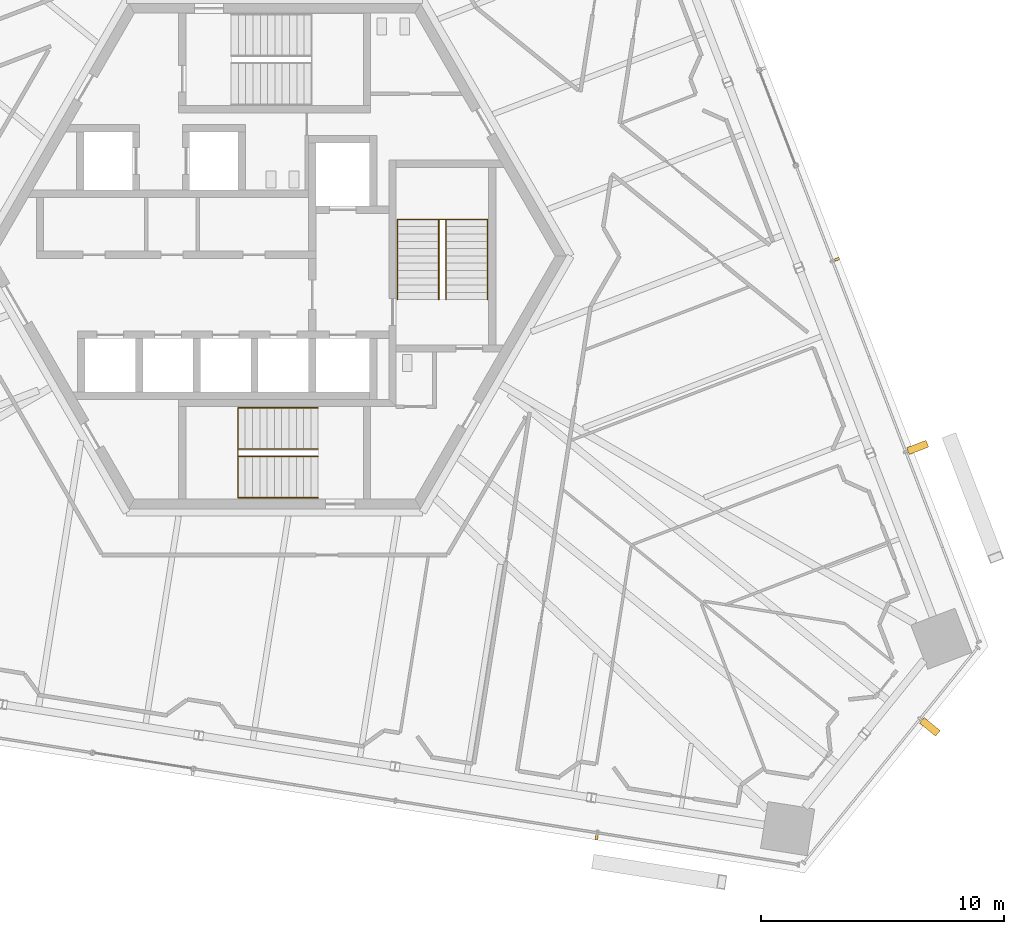
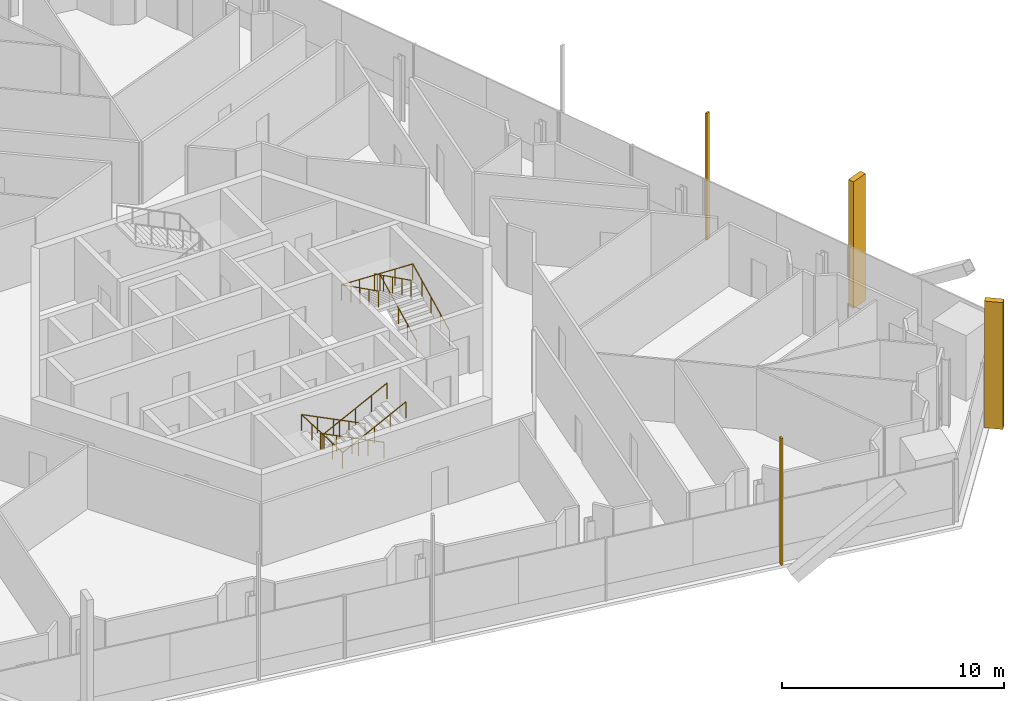
# One storey, part 18 of 23: 4 railings, 4 shading devices.
"""IFC4 building model written with IfcOpenShell, lengths in metres."""

from ifc_helpers import new_model, si_unit, direction, frame, origin, origin_2d, place, context, subcontext, project, spatial, rectangle, circle, extrude, source, transform, mapped, material, type_object, element, save


model = new_model("IFC4")

# Units and contexts
model_context = context("Model", 3, precision=1e-05, world=origin(), true_north=direction((0.0, 1.0)))
body_context = subcontext(model_context, "Body", "Model", "MODEL_VIEW")
ifc_project = project(units=[si_unit("LENGTHUNIT", "METRE"), si_unit("AREAUNIT", "SQUARE_METRE"), si_unit("VOLUMEUNIT", "CUBIC_METRE"), si_unit("PLANEANGLEUNIT", "RADIAN"), si_unit("MASSUNIT", "GRAM", prefix="KILO")], contexts=[model_context])

# Site, building, storey
site_placement = place(None, origin())
site = spatial("IfcSite", under=ifc_project, at=site_placement, CompositionType="ELEMENT")
building_placement = place(site_placement, origin())
building = spatial("IfcBuilding", under=site, at=building_placement, Name="Triune Harvest Tower", CompositionType="ELEMENT")
storey_placement = place(building_placement, frame((0.0, 0.0, 167.699951171875)))
storey = spatial("IfcBuildingStorey", under=building, at=storey_placement, Name="L43", CompositionType="ELEMENT", Elevation=167.699951171875)

# Railings
ifc_material_1 = material(Name="Stainless steel AISI 316", Category="steel")
railing_type = type_object("IfcRailingType", Name="Stair handrail", PredefinedType="HANDRAIL", material=ifc_material_1)
shared_shape_1 = source(origin(), body_context, "Body", "SweptSolid", [
    extrude(circle(Radius=0.02392578125, at=origin_2d()), frame((0.0, 0.0, 0.8759765625), z_axis=(-0.894440424912, 0.0, 0.447187126696), x_axis=(0.0, -1.0, 0.0)), (0.0, 0.0, 1.0), 3.689453125),
    extrude(circle(Radius=0.02392578125, at=origin_2d()), frame((-3.300048828125, 0.0, 2.52587890625), z_axis=(0.0, -0.999180289278, 0.040481471304), x_axis=(1.0, 0.0, 0.0)), (0.0, 0.0, 1.0), 3.702880859375),
    extrude(circle(Radius=0.02392578125, at=origin_2d()), frame((-3.300048828125, -3.699951171875, 2.67578125), z_axis=(0.894413956696, 0.0, 0.447240063129), x_axis=(0.0, 1.0, 0.0)), (0.0, 0.0, 1.0), 3.689697265625),
    extrude(circle(Radius=0.02099609375, at=origin_2d()), origin(), (0.0, 0.0, 1.0), 0.851806640625),
    extrude(circle(Radius=0.02099609375, at=origin_2d()), frame((-0.824951171875, 0.0, 0.41259765625)), (0.0, 0.0, 1.0), 0.851806640625),
    extrude(circle(Radius=0.02099609375, at=origin_2d()), frame((-1.64990234375, 0.0, 0.824951171875)), (0.0, 0.0, 1.0), 0.851806640625),
    extrude(circle(Radius=0.02099609375, at=origin_2d()), frame((-2.47509765625, 0.0, 1.2373046875)), (0.0, 0.0, 1.0), 0.851806640625),
    extrude(circle(Radius=0.02099609375, at=origin_2d()), frame((-3.300048828125, 0.0, 1.64990234375)), (0.0, 0.0, 1.0), 0.851806640625),
    extrude(circle(Radius=0.02099609375, at=origin_2d()), frame((-3.300048828125, -0.925048828125, 1.6875)), (0.0, 0.0, 1.0), 0.851806640625),
    extrude(circle(Radius=0.02099609375, at=origin_2d()), frame((-3.300048828125, -1.85009765625, 1.724853515625)), (0.0, 0.0, 1.0), 0.851806640625),
    extrude(circle(Radius=0.02099609375, at=origin_2d()), frame((-3.300048828125, -2.77490234375, 1.76220703125)), (0.0, 0.0, 1.0), 0.851806640625),
    extrude(circle(Radius=0.02099609375, at=origin_2d()), frame((-3.300048828125, -3.699951171875, 1.7998046875)), (0.0, 0.0, 1.0), 0.851806640625),
    extrude(circle(Radius=0.02099609375, at=origin_2d()), frame((-2.47509765625, -3.699951171875, 2.21240234375)), (0.0, 0.0, 1.0), 0.851806640625),
    extrude(circle(Radius=0.02099609375, at=origin_2d()), frame((-1.64990234375, -3.699951171875, 2.625)), (0.0, 0.0, 1.0), 0.851806640625),
    extrude(circle(Radius=0.02099609375, at=origin_2d()), frame((-0.824951171875, -3.699951171875, 3.037353515625)), (0.0, 0.0, 1.0), 0.851806640625),
    extrude(circle(Radius=0.02099609375, at=origin_2d()), frame((0.0, -3.699951171875, 3.449951171875)), (0.0, 0.0, 1.0), 0.851806640625),
])
railing_1_placement = place(storey_placement, frame((1.7900390625, -6.239990234375, 0.150146484375)))
element("IfcRailing", 1, at=railing_1_placement, inside=storey, type_object=railing_type, Name="Exit stair south wall handrail", PredefinedType="HANDRAIL", context=body_context, shape_type="MappedRepresentation", body=[
    mapped(shared_shape_1, transform((0.0, 0.0, 0.0), scale=1.0)),
])
shared_shape_2 = source(origin(), body_context, "Body", "SweptSolid", [
    extrude(circle(Radius=0.02392578125, at=origin_2d()), frame((0.0, 0.0, 0.8759765625), z_axis=(-0.894440424912, 0.0, 0.447187126696), x_axis=(0.0, -1.0, 0.0)), (0.0, 0.0, 1.0), 3.689453125),
    extrude(circle(Radius=0.02392578125, at=origin_2d()), frame((-3.300048828125, 0.0, 2.52587890625), z_axis=(0.0, -0.894572720946, 0.446922417137), x_axis=(1.0, 0.0, 0.0)), (0.0, 0.0, 1.0), 0.33544921875),
    extrude(circle(Radius=0.02392578125, at=origin_2d()), frame((-3.300048828125, -0.300048828125, 2.67578125), z_axis=(0.894413956696, 0.0, 0.447240063129), x_axis=(0.0, 1.0, 0.0)), (0.0, 0.0, 1.0), 3.689697265625),
    extrude(circle(Radius=0.02099609375, at=origin_2d()), origin(), (0.0, 0.0, 1.0), 0.851806640625),
    extrude(circle(Radius=0.02099609375, at=origin_2d()), frame((-0.824951171875, 0.0, 0.41259765625)), (0.0, 0.0, 1.0), 0.851806640625),
    extrude(circle(Radius=0.02099609375, at=origin_2d()), frame((-1.64990234375, 0.0, 0.824951171875)), (0.0, 0.0, 1.0), 0.851806640625),
    extrude(circle(Radius=0.02099609375, at=origin_2d()), frame((-2.47509765625, 0.0, 1.2373046875)), (0.0, 0.0, 1.0), 0.851806640625),
    extrude(circle(Radius=0.02099609375, at=origin_2d()), frame((-3.300048828125, 0.0, 1.64990234375)), (0.0, 0.0, 1.0), 0.851806640625),
    extrude(circle(Radius=0.02099609375, at=origin_2d()), frame((-3.300048828125, -0.300048828125, 1.7998046875)), (0.0, 0.0, 1.0), 0.851806640625),
    extrude(circle(Radius=0.02099609375, at=origin_2d()), frame((-2.47509765625, -0.300048828125, 2.21240234375)), (0.0, 0.0, 1.0), 0.851806640625),
    extrude(circle(Radius=0.02099609375, at=origin_2d()), frame((-1.64990234375, -0.300048828125, 2.625)), (0.0, 0.0, 1.0), 0.851806640625),
    extrude(circle(Radius=0.02099609375, at=origin_2d()), frame((-0.824951171875, -0.300048828125, 3.037353515625)), (0.0, 0.0, 1.0), 0.851806640625),
    extrude(circle(Radius=0.02099609375, at=origin_2d()), frame((0.0, -0.300048828125, 3.449951171875)), (0.0, 0.0, 1.0), 0.851806640625),
])
railing_2_placement = place(storey_placement, frame((1.7900390625, -7.93994140625, 0.150146484375)))
element("IfcRailing", 2, at=railing_2_placement, inside=storey, type_object=railing_type, Name="Exit stair south centre handrail", PredefinedType="HANDRAIL", context=body_context, shape_type="MappedRepresentation", body=[
    mapped(shared_shape_2, transform((0.0, 0.0, 0.0), scale=1.0)),
])
shared_shape_3 = source(origin(), body_context, "Body", "SweptSolid", [
    extrude(circle(Radius=0.02392578125, at=origin_2d()), frame((0.0, 0.0, 0.8759765625), z_axis=(0.0, 0.894440424912, 0.447187126696), x_axis=(-1.0, 0.0, 0.0)), (0.0, 0.0, 1.0), 3.689453125),
    extrude(circle(Radius=0.02392578125, at=origin_2d()), frame((0.0, 3.300048828125, 2.52587890625), z_axis=(-0.999180289278, 0.0, 0.040481471304), x_axis=(0.0, -1.0, 0.0)), (0.0, 0.0, 1.0), 3.702880859375),
    extrude(circle(Radius=0.02392578125, at=origin_2d()), frame((-3.699951171875, 3.300048828125, 2.67578125), z_axis=(0.0, -0.894413956696, 0.447240063129), x_axis=(1.0, 0.0, 0.0)), (0.0, 0.0, 1.0), 3.689697265625),
    extrude(circle(Radius=0.02099609375, at=origin_2d()), origin(), (0.0, 0.0, 1.0), 0.851806640625),
    extrude(circle(Radius=0.02099609375, at=origin_2d()), frame((0.0, 0.824951171875, 0.41259765625)), (0.0, 0.0, 1.0), 0.851806640625),
    extrude(circle(Radius=0.02099609375, at=origin_2d()), frame((0.0, 1.64990234375, 0.824951171875)), (0.0, 0.0, 1.0), 0.851806640625),
    extrude(circle(Radius=0.02099609375, at=origin_2d()), frame((0.0, 2.47509765625, 1.2373046875)), (0.0, 0.0, 1.0), 0.851806640625),
    extrude(circle(Radius=0.02099609375, at=origin_2d()), frame((0.0, 3.300048828125, 1.64990234375)), (0.0, 0.0, 1.0), 0.851806640625),
    extrude(circle(Radius=0.02099609375, at=origin_2d()), frame((-0.925048828125, 3.300048828125, 1.6875)), (0.0, 0.0, 1.0), 0.851806640625),
    extrude(circle(Radius=0.02099609375, at=origin_2d()), frame((-1.85009765625, 3.300048828125, 1.724853515625)), (0.0, 0.0, 1.0), 0.851806640625),
    extrude(circle(Radius=0.02099609375, at=origin_2d()), frame((-2.77490234375, 3.300048828125, 1.76220703125)), (0.0, 0.0, 1.0), 0.851806640625),
    extrude(circle(Radius=0.02099609375, at=origin_2d()), frame((-3.699951171875, 3.300048828125, 1.7998046875)), (0.0, 0.0, 1.0), 0.851806640625),
    extrude(circle(Radius=0.02099609375, at=origin_2d()), frame((-3.699951171875, 2.47509765625, 2.21240234375)), (0.0, 0.0, 1.0), 0.851806640625),
    extrude(circle(Radius=0.02099609375, at=origin_2d()), frame((-3.699951171875, 1.64990234375, 2.625)), (0.0, 0.0, 1.0), 0.851806640625),
    extrude(circle(Radius=0.02099609375, at=origin_2d()), frame((-3.699951171875, 0.824951171875, 3.037353515625)), (0.0, 0.0, 1.0), 0.851806640625),
    extrude(circle(Radius=0.02099609375, at=origin_2d()), frame((-3.699951171875, 0.0, 3.449951171875)), (0.0, 0.0, 1.0), 0.851806640625),
])
railing_3_placement = place(storey_placement, frame((8.75, -1.7900390625, 0.150146484375)))
element("IfcRailing", 3, at=railing_3_placement, inside=storey, type_object=railing_type, Name="Exit stair east wall handrail", PredefinedType="HANDRAIL", context=body_context, shape_type="MappedRepresentation", body=[
    mapped(shared_shape_3, transform((0.0, 0.0, 0.0), scale=1.0)),
])
shared_shape_4 = source(origin(), body_context, "Body", "SweptSolid", [
    extrude(circle(Radius=0.02392578125, at=origin_2d()), frame((0.0, 0.0, 0.8759765625), z_axis=(0.0, 0.894440424912, 0.447187126696), x_axis=(-1.0, 0.0, 0.0)), (0.0, 0.0, 1.0), 3.689453125),
    extrude(circle(Radius=0.02392578125, at=origin_2d()), frame((0.0, 3.300048828125, 2.52587890625), z_axis=(-0.894572720946, 0.0, 0.446922417137), x_axis=(0.0, -1.0, 0.0)), (0.0, 0.0, 1.0), 0.33544921875),
    extrude(circle(Radius=0.02392578125, at=origin_2d()), frame((-0.300048828125, 3.300048828125, 2.67578125), z_axis=(0.0, -0.894413956696, 0.447240063129), x_axis=(1.0, 0.0, 0.0)), (0.0, 0.0, 1.0), 3.689697265625),
    extrude(circle(Radius=0.02099609375, at=origin_2d()), origin(), (0.0, 0.0, 1.0), 0.851806640625),
    extrude(circle(Radius=0.02099609375, at=origin_2d()), frame((0.0, 0.824951171875, 0.41259765625)), (0.0, 0.0, 1.0), 0.851806640625),
    extrude(circle(Radius=0.02099609375, at=origin_2d()), frame((0.0, 1.64990234375, 0.824951171875)), (0.0, 0.0, 1.0), 0.851806640625),
    extrude(circle(Radius=0.02099609375, at=origin_2d()), frame((0.0, 2.47509765625, 1.2373046875)), (0.0, 0.0, 1.0), 0.851806640625),
    extrude(circle(Radius=0.02099609375, at=origin_2d()), frame((0.0, 3.300048828125, 1.64990234375)), (0.0, 0.0, 1.0), 0.851806640625),
    extrude(circle(Radius=0.02099609375, at=origin_2d()), frame((-0.300048828125, 3.300048828125, 1.7998046875)), (0.0, 0.0, 1.0), 0.851806640625),
    extrude(circle(Radius=0.02099609375, at=origin_2d()), frame((-0.300048828125, 2.47509765625, 2.21240234375)), (0.0, 0.0, 1.0), 0.851806640625),
    extrude(circle(Radius=0.02099609375, at=origin_2d()), frame((-0.300048828125, 1.64990234375, 2.625)), (0.0, 0.0, 1.0), 0.851806640625),
    extrude(circle(Radius=0.02099609375, at=origin_2d()), frame((-0.300048828125, 0.824951171875, 3.037353515625)), (0.0, 0.0, 1.0), 0.851806640625),
    extrude(circle(Radius=0.02099609375, at=origin_2d()), frame((-0.300048828125, 0.0, 3.449951171875)), (0.0, 0.0, 1.0), 0.851806640625),
])
railing_4_placement = place(storey_placement, frame((7.050048828125, -1.7900390625, 0.150146484375)))
element("IfcRailing", 4, at=railing_4_placement, inside=storey, type_object=railing_type, Name="Exit stair east centre handrail", PredefinedType="HANDRAIL", context=body_context, shape_type="MappedRepresentation", body=[
    mapped(shared_shape_4, transform((0.0, 0.0, 0.0), scale=1.0)),
])

# Shading devices
ifc_material_2 = material(Name="Aluminium bronze anodised", Category="aluminium")
shared_shape_5 = source(origin(), body_context, "Body", "SweptSolid", [
    extrude(rectangle(XDim=0.300048828125, YDim=0.85009765625, at=origin_2d()), origin(), (0.0, 0.0, 1.0), 6.97509765625),
])
for number, where, z_axis, x_axis, name in (
    (5, (26.4521484375, -7.867431640625, 0.0), (0.0, 0.0, 1.0), (-0.35836927228, 0.933579918746, 0.0), "FN-2 fin B4-F1.3 L43"),
    (6, (26.953369140625, -19.36572265625, 0.0), (0.0, 0.0, 1.0), (0.629320905414, 0.777145544932, 0.0), "FN-2 fin B4-F6.3 L43"),
):
    element("IfcShadingDevice", number, at=place(storey_placement, frame(where, z_axis=z_axis, x_axis=x_axis)), inside=storey, material=ifc_material_2, Name=name, ObjectType="FIN", PredefinedType="USERDEFINED", context=body_context, shape_type="MappedRepresentation", body=[
        mapped(shared_shape_5, transform((0.0, 0.0, 0.0), scale=1.0)),
    ])
shared_shape_6 = source(origin(), body_context, "Body", "SweptSolid", [
    extrude(rectangle(XDim=0.10009765625, YDim=0.199951171875, at=origin_2d()), origin(), (0.0, 0.0, 1.0), 6.97509765625),
])
for number, where, z_axis, x_axis, name in (
    (7, (23.134033203125, -0.13037109375, 0.0), (0.0, 0.0, 1.0), (-0.35836927228, 0.933579918746, 0.0), "FN-1 fin B4-F1.5 L43"),
    (8, (13.24609375, -23.917236328125, 0.0), (0.0, 0.0, 1.0), (0.987688259912, -0.156434974453, 0.0), "FN-1 fin B4-F5.11 L43"),
):
    element("IfcShadingDevice", number, at=place(storey_placement, frame(where, z_axis=z_axis, x_axis=x_axis)), inside=storey, material=ifc_material_2, Name=name, ObjectType="FIN", PredefinedType="USERDEFINED", context=body_context, shape_type="MappedRepresentation", body=[
        mapped(shared_shape_6, transform((0.0, 0.0, 0.0), scale=1.0)),
    ])

save(model, "model.ifc")
